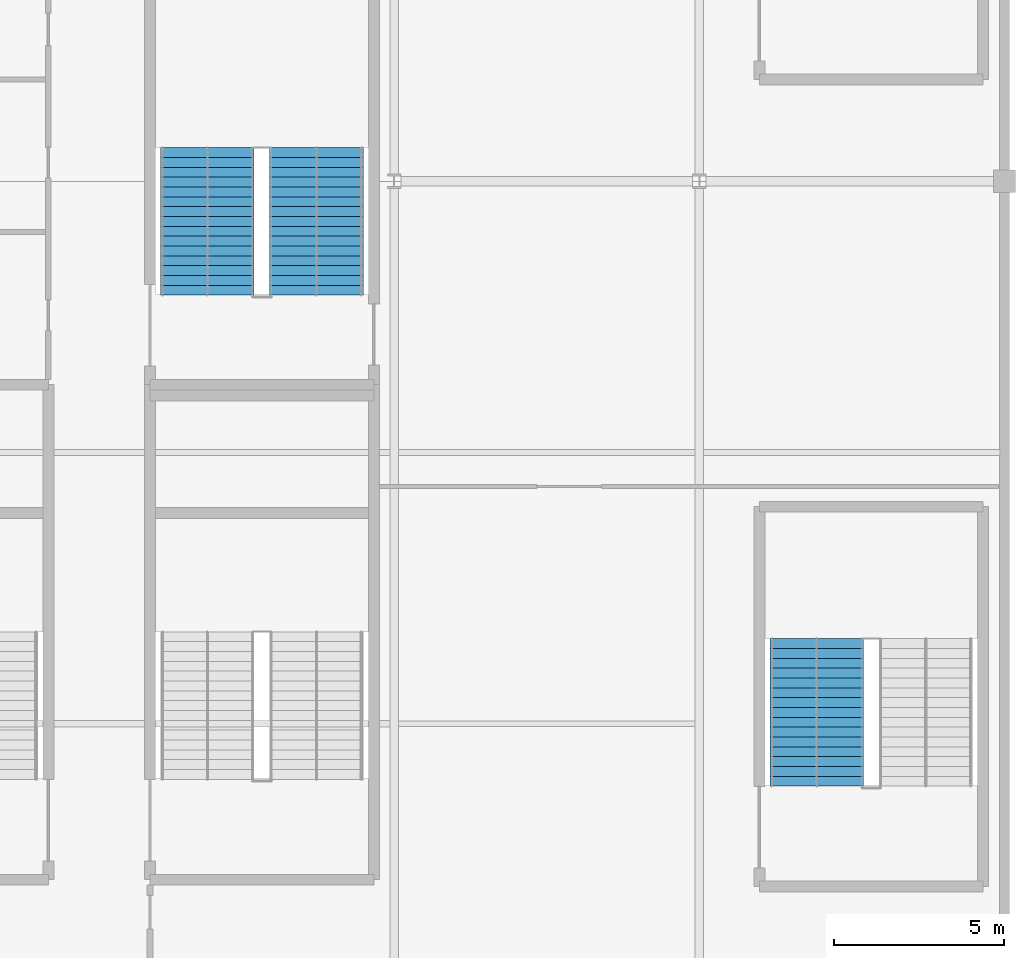
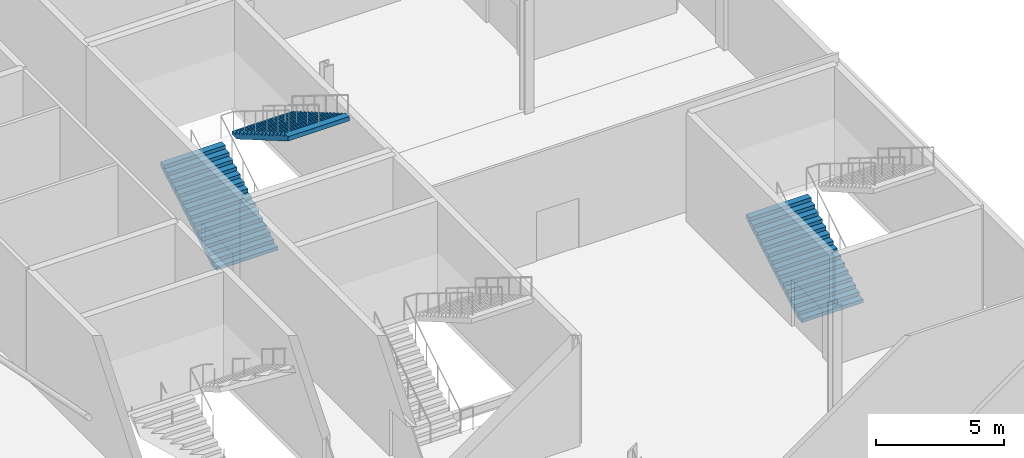
# One storey, part 83 of 111: 3 stair flights, 2 elements without a shape of their own.
"""IFC4 building model written with IfcOpenShell, lengths in metres."""

from ifc_helpers import new_model, si_unit, direction, frame, origin, place, context, subcontext, project, spatial, polygons, material, type_object, element, aggregate, save


model = new_model("IFC4")

# Units and contexts
model_context = context("Model", 3, precision=1e-05, world=origin(), true_north=direction((0.0, 1.0)))
body_context = subcontext(model_context, "Body", "Model", "MODEL_VIEW")
ifc_project = project(units=[si_unit("LENGTHUNIT", "METRE"), si_unit("AREAUNIT", "SQUARE_METRE"), si_unit("VOLUMEUNIT", "CUBIC_METRE"), si_unit("PLANEANGLEUNIT", "RADIAN"), si_unit("MASSUNIT", "GRAM", prefix="KILO")], contexts=[model_context])

# Site, building, storey
site_placement = place(None, origin())
site = spatial("IfcSite", under=ifc_project, at=site_placement, CompositionType="ELEMENT")
building_placement = place(site_placement, origin())
building = spatial("IfcBuilding", under=site, at=building_placement, Name="Kisiwana Market Hall", CompositionType="ELEMENT")
storey_placement = place(building_placement, frame((0.0, 0.0, 11.39990234375)))
storey = spatial("IfcBuildingStorey", under=building, at=storey_placement, Name="L02", CompositionType="ELEMENT", Elevation=11.39990234375)

# Stair, stair flight
ifc_material_1 = material(Name="Concrete C32/40", Category="concrete")
stair_type = type_object("IfcStairType", Name="ST-ESC-5400", PredefinedType="TWO_STRAIGHT_RUN_STAIR", material=ifc_material_1)
stair_1_placement = place(storey_placement, origin())
stair_1 = element("IfcStair", 1, at=stair_1_placement, inside=storey, type_object=stair_type, Name="Escape stair ST-W9-L02", PredefinedType="TWO_STRAIGHT_RUN_STAIR")
ifc_material_2 = material(Name="Concrete C32/40", Category="concrete")
stair_flight_type = type_object("IfcStairFlightType", Name="SF-ESC-5400", PredefinedType="STRAIGHT", material=ifc_material_2)
stair_flight_1_placement = place(storey_placement, frame((39.4599609375, 42.159912109375, 0.0), z_axis=(0.0, 0.0, 1.0), x_axis=(0.0, 1.0, 0.0)))
stair_flight_1 = element("IfcStairFlight", 2, at=stair_flight_1_placement, type_object=stair_flight_type, Name="ST-W9-L02 flight 1", NumberOfRisers=16, NumberOfTreads=15, PredefinedType="STRAIGHT", RiserHeight=0.16875, TreadLength=0.29, context=body_context, shape_type="Tessellation", body=[
    polygons([(0.0, -1.380127, 0.0), (0.0, -0.690125, 0.0), (0.0, -0.000122, 0.0), (0.0, 0.68988, 0.0), (0.0, 1.379883, 0.0), (0.0, -1.380127, 0.168701), (0.0, -0.690125, 0.168701), (0.0, -0.000122, 0.168701), (0.0, 0.68988, 0.168701), (0.0, 1.379883, 0.168701), (0.290039, -1.380127, 0.168701), (0.290039, -0.690125, 0.168701), (0.290039, -0.000122, 0.168701), (0.290039, 0.68988, 0.168701), (0.290039, 1.379883, 0.168701), (0.290039, -1.380127, 0.337402), (0.290039, -0.690125, 0.337402), (0.290039, -0.000122, 0.337402), (0.290039, 0.68988, 0.337402), (0.290039, 1.379883, 0.337402), (0.580078, -1.380127, 0.337402), (0.580078, -0.690125, 0.337402), (0.580078, -0.000122, 0.337402), (0.580078, 0.68988, 0.337402), (0.580078, 1.379883, 0.337402), (0.580078, -1.380127, 0.506348), (0.580078, -0.690125, 0.506348), (0.580078, -0.000122, 0.506348), (0.580078, 0.68988, 0.506348), (0.580078, 1.379883, 0.506348), (0.870117, -1.380127, 0.506348), (0.870117, -0.690125, 0.506348), (0.870117, -0.000122, 0.506348), (0.870117, 0.68988, 0.506348), (0.870117, 1.379883, 0.506348), (0.870117, -1.380127, 0.675049), (0.870117, -0.690125, 0.675049), (0.870117, -0.000122, 0.675049), (0.870117, 0.68988, 0.675049), (0.870117, 1.379883, 0.675049), (1.159912, -1.380127, 0.675049), (1.159912, -0.690125, 0.675049), (1.159912, -0.000122, 0.675049), (1.159912, 0.68988, 0.675049), (1.159912, 1.379883, 0.675049), (1.159912, -1.380127, 0.84375), (1.159912, -0.690125, 0.84375), (1.159912, -0.000122, 0.84375), (1.159912, 0.68988, 0.84375), (1.159912, 1.379883, 0.84375), (1.449951, -1.380127, 0.84375), (1.449951, -0.690125, 0.84375), (1.449951, -0.000122, 0.84375), (1.449951, 0.68988, 0.84375), (1.449951, 1.379883, 0.84375), (1.449951, -1.380127, 1.012451), (1.449951, -0.690125, 1.012451), (1.449951, -0.000122, 1.012451), (1.449951, 0.68988, 1.012451), (1.449951, 1.379883, 1.012451), (1.73999, -1.380127, 1.012451), (1.73999, -0.690125, 1.012451), (1.73999, -0.000122, 1.012451), (1.73999, 0.68988, 1.012451), (1.73999, 1.379883, 1.012451), (1.73999, -1.380127, 1.181152), (1.73999, -0.690125, 1.181152), (1.73999, -0.000122, 1.181152), (1.73999, 0.68988, 1.181152), (1.73999, 1.379883, 1.181152), (2.030029, -1.380127, 1.181152), (2.030029, -0.690125, 1.181152), (2.030029, -0.000122, 1.181152), (2.030029, 0.68988, 1.181152), (2.030029, 1.379883, 1.181152), (2.030029, -1.380127, 1.350098), (2.030029, -0.690125, 1.350098), (2.030029, -0.000122, 1.350098), (2.030029, 0.68988, 1.350098), (2.030029, 1.379883, 1.350098), (2.320068, -1.380127, 1.350098), (2.320068, -0.690125, 1.350098), (2.320068, -0.000122, 1.350098), (2.320068, 0.68988, 1.350098), (2.320068, 1.379883, 1.350098), (2.320068, -1.380127, 1.518799), (2.320068, -0.690125, 1.518799), (2.320068, -0.000122, 1.518799), (2.320068, 0.68988, 1.518799), (2.320068, 1.379883, 1.518799), (2.610107, -1.380127, 1.518799), (2.610107, -0.690125, 1.518799), (2.610107, -0.000122, 1.518799), (2.610107, 0.68988, 1.518799), (2.610107, 1.379883, 1.518799), (2.610107, -1.380127, 1.6875), (2.610107, -0.690125, 1.6875), (2.610107, -0.000122, 1.6875), (2.610107, 0.68988, 1.6875), (2.610107, 1.379883, 1.6875), (2.899902, -1.380127, 1.6875), (2.899902, -0.690125, 1.6875), (2.899902, -0.000122, 1.6875), (2.899902, 0.68988, 1.6875), (2.899902, 1.379883, 1.6875), (2.899902, -1.380127, 1.856201), (2.899902, -0.690125, 1.856201), (2.899902, -0.000122, 1.856201), (2.899902, 0.68988, 1.856201), (2.899902, 1.379883, 1.856201), (3.189941, -1.380127, 1.856201), (3.189941, -0.690125, 1.856201), (3.189941, -0.000122, 1.856201), (3.189941, 0.68988, 1.856201), (3.189941, 1.379883, 1.856201), (3.189941, -1.380127, 2.024902), (3.189941, -0.690125, 2.024902), (3.189941, -0.000122, 2.024902), (3.189941, 0.68988, 2.024902), (3.189941, 1.379883, 2.024902), (3.47998, -1.380127, 2.024902), (3.47998, -0.690125, 2.024902), (3.47998, -0.000122, 2.024902), (3.47998, 0.68988, 2.024902), (3.47998, 1.379883, 2.024902), (3.47998, -1.380127, 2.193848), (3.47998, -0.690125, 2.193848), (3.47998, -0.000122, 2.193848), (3.47998, 0.68988, 2.193848), (3.47998, 1.379883, 2.193848), (3.77002, -1.380127, 2.193848), (3.77002, -0.690125, 2.193848), (3.77002, -0.000122, 2.193848), (3.77002, 0.68988, 2.193848), (3.77002, 1.379883, 2.193848), (3.77002, -1.380127, 2.362549), (3.77002, -0.690125, 2.362549), (3.77002, -0.000122, 2.362549), (3.77002, 0.68988, 2.362549), (3.77002, 1.379883, 2.362549), (4.060059, -1.380127, 2.362549), (4.060059, -0.690125, 2.362549), (4.060059, -0.000122, 2.362549), (4.060059, 0.68988, 2.362549), (4.060059, 1.379883, 2.362549), (4.060059, -1.380127, 2.53125), (4.060059, -0.690125, 2.53125), (4.060059, -0.000122, 2.53125), (4.060059, 0.68988, 2.53125), (4.060059, 1.379883, 2.53125), (4.350098, -1.380127, 2.53125), (4.350098, -0.690125, 2.53125), (4.350098, -0.000122, 2.53125), (4.350098, 0.68988, 2.53125), (4.350098, 1.379883, 2.53125), (4.350098, -1.380127, 2.322998), (4.350098, -0.690125, 2.322998), (4.350098, -0.000122, 2.322998), (4.350098, 0.68988, 2.322998), (4.350098, 1.379883, 2.322998), (0.357666, -1.380127, 0.0), (0.357666, -0.690125, 0.0), (0.357666, -0.000122, 0.0), (0.357666, 0.68988, 0.0), (0.357666, 1.379883, 0.0)], [[[1, 6, 7, 2]], [[2, 7, 8, 3]], [[3, 8, 9, 4]], [[4, 9, 10, 5]], [[6, 11, 12, 7]], [[7, 12, 13, 8]], [[8, 13, 14, 9]], [[9, 14, 15, 10]], [[11, 16, 17, 12]], [[12, 17, 18, 13]], [[13, 18, 19, 14]], [[14, 19, 20, 15]], [[16, 21, 22, 17]], [[17, 22, 23, 18]], [[18, 23, 24, 19]], [[19, 24, 25, 20]], [[21, 26, 27, 22]], [[22, 27, 28, 23]], [[23, 28, 29, 24]], [[24, 29, 30, 25]], [[26, 31, 32, 27]], [[27, 32, 33, 28]], [[28, 33, 34, 29]], [[29, 34, 35, 30]], [[31, 36, 37, 32]], [[32, 37, 38, 33]], [[33, 38, 39, 34]], [[34, 39, 40, 35]], [[36, 41, 42, 37]], [[37, 42, 43, 38]], [[38, 43, 44, 39]], [[39, 44, 45, 40]], [[41, 46, 47, 42]], [[42, 47, 48, 43]], [[43, 48, 49, 44]], [[44, 49, 50, 45]], [[46, 51, 52, 47]], [[47, 52, 53, 48]], [[48, 53, 54, 49]], [[49, 54, 55, 50]], [[51, 56, 57, 52]], [[52, 57, 58, 53]], [[53, 58, 59, 54]], [[54, 59, 60, 55]], [[56, 61, 62, 57]], [[57, 62, 63, 58]], [[58, 63, 64, 59]], [[59, 64, 65, 60]], [[61, 66, 67, 62]], [[62, 67, 68, 63]], [[63, 68, 69, 64]], [[64, 69, 70, 65]], [[66, 71, 72, 67]], [[67, 72, 73, 68]], [[68, 73, 74, 69]], [[69, 74, 75, 70]], [[71, 76, 77, 72]], [[72, 77, 78, 73]], [[73, 78, 79, 74]], [[74, 79, 80, 75]], [[76, 81, 82, 77]], [[77, 82, 83, 78]], [[78, 83, 84, 79]], [[79, 84, 85, 80]], [[81, 86, 87, 82]], [[82, 87, 88, 83]], [[83, 88, 89, 84]], [[84, 89, 90, 85]], [[86, 91, 92, 87]], [[87, 92, 93, 88]], [[88, 93, 94, 89]], [[89, 94, 95, 90]], [[91, 96, 97, 92]], [[92, 97, 98, 93]], [[93, 98, 99, 94]], [[94, 99, 100, 95]], [[96, 101, 102, 97]], [[97, 102, 103, 98]], [[98, 103, 104, 99]], [[99, 104, 105, 100]], [[101, 106, 107, 102]], [[102, 107, 108, 103]], [[103, 108, 109, 104]], [[104, 109, 110, 105]], [[106, 111, 112, 107]], [[107, 112, 113, 108]], [[108, 113, 114, 109]], [[109, 114, 115, 110]], [[111, 116, 117, 112]], [[112, 117, 118, 113]], [[113, 118, 119, 114]], [[114, 119, 120, 115]], [[116, 121, 122, 117]], [[117, 122, 123, 118]], [[118, 123, 124, 119]], [[119, 124, 125, 120]], [[121, 126, 127, 122]], [[122, 127, 128, 123]], [[123, 128, 129, 124]], [[124, 129, 130, 125]], [[126, 131, 132, 127]], [[127, 132, 133, 128]], [[128, 133, 134, 129]], [[129, 134, 135, 130]], [[131, 136, 137, 132]], [[132, 137, 138, 133]], [[133, 138, 139, 134]], [[134, 139, 140, 135]], [[136, 141, 142, 137]], [[137, 142, 143, 138]], [[138, 143, 144, 139]], [[139, 144, 145, 140]], [[141, 146, 147, 142]], [[142, 147, 148, 143]], [[143, 148, 149, 144]], [[144, 149, 150, 145]], [[146, 151, 152, 147]], [[147, 152, 153, 148]], [[148, 153, 154, 149]], [[149, 154, 155, 150]], [[151, 156, 157, 152]], [[152, 157, 158, 153]], [[153, 158, 159, 154]], [[154, 159, 160, 155]], [[156, 161, 162, 157]], [[157, 162, 163, 158]], [[158, 163, 164, 159]], [[159, 164, 165, 160]], [[161, 1, 2, 162]], [[162, 2, 3, 163]], [[163, 3, 4, 164]], [[164, 4, 5, 165]], [[161, 156, 151, 146, 141, 136, 131, 126, 121, 116, 111, 106, 101, 96, 91, 86, 81, 76, 71, 66, 61, 56, 51, 46, 41, 36, 31, 26, 21, 16, 11, 6, 1]], [[5, 10, 15, 20, 25, 30, 35, 40, 45, 50, 55, 60, 65, 70, 75, 80, 85, 90, 95, 100, 105, 110, 115, 120, 125, 130, 135, 140, 145, 150, 155, 160, 165]]], closed=True),
])
aggregate(stair_1, [stair_flight_1])

# Stair, stair flights
stair_2_placement = place(storey_placement, origin())
stair_2 = element("IfcStair", 3, at=stair_2_placement, inside=storey, type_object=stair_type, Name="Escape stair ST-W5-L02", PredefinedType="TWO_STRAIGHT_RUN_STAIR")
stair_flight_2_placement = place(storey_placement, frame((21.489990234375, 56.639892578125, 0.0), z_axis=(0.0, 0.0, 1.0), x_axis=(0.0, 1.0, 0.0)))
stair_flight_2 = element("IfcStairFlight", 4, at=stair_flight_2_placement, type_object=stair_flight_type, Name="ST-W5-L02 flight 1", NumberOfRisers=16, NumberOfTreads=15, PredefinedType="STRAIGHT", RiserHeight=0.16875, TreadLength=0.29, context=body_context, shape_type="Tessellation", body=[
    polygons([(0.0, -1.380127, 0.0), (0.0, -0.690125, 0.0), (0.0, -0.000122, 0.0), (0.0, 0.68988, 0.0), (0.0, 1.379883, 0.0), (0.0, -1.380127, 0.168701), (0.0, -0.690125, 0.168701), (0.0, -0.000122, 0.168701), (0.0, 0.68988, 0.168701), (0.0, 1.379883, 0.168701), (0.290039, -1.380127, 0.168701), (0.290039, -0.690125, 0.168701), (0.290039, -0.000122, 0.168701), (0.290039, 0.68988, 0.168701), (0.290039, 1.379883, 0.168701), (0.290039, -1.380127, 0.337402), (0.290039, -0.690125, 0.337402), (0.290039, -0.000122, 0.337402), (0.290039, 0.68988, 0.337402), (0.290039, 1.379883, 0.337402), (0.580078, -1.380127, 0.337402), (0.580078, -0.690125, 0.337402), (0.580078, -0.000122, 0.337402), (0.580078, 0.68988, 0.337402), (0.580078, 1.379883, 0.337402), (0.580078, -1.380127, 0.506348), (0.580078, -0.690125, 0.506348), (0.580078, -0.000122, 0.506348), (0.580078, 0.68988, 0.506348), (0.580078, 1.379883, 0.506348), (0.870117, -1.380127, 0.506348), (0.870117, -0.690125, 0.506348), (0.870117, -0.000122, 0.506348), (0.870117, 0.68988, 0.506348), (0.870117, 1.379883, 0.506348), (0.870117, -1.380127, 0.675049), (0.870117, -0.690125, 0.675049), (0.870117, -0.000122, 0.675049), (0.870117, 0.68988, 0.675049), (0.870117, 1.379883, 0.675049), (1.159912, -1.380127, 0.675049), (1.159912, -0.690125, 0.675049), (1.159912, -0.000122, 0.675049), (1.159912, 0.68988, 0.675049), (1.159912, 1.379883, 0.675049), (1.159912, -1.380127, 0.84375), (1.159912, -0.690125, 0.84375), (1.159912, -0.000122, 0.84375), (1.159912, 0.68988, 0.84375), (1.159912, 1.379883, 0.84375), (1.449951, -1.380127, 0.84375), (1.449951, -0.690125, 0.84375), (1.449951, -0.000122, 0.84375), (1.449951, 0.68988, 0.84375), (1.449951, 1.379883, 0.84375), (1.449951, -1.380127, 1.012451), (1.449951, -0.690125, 1.012451), (1.449951, -0.000122, 1.012451), (1.449951, 0.68988, 1.012451), (1.449951, 1.379883, 1.012451), (1.73999, -1.380127, 1.012451), (1.73999, -0.690125, 1.012451), (1.73999, -0.000122, 1.012451), (1.73999, 0.68988, 1.012451), (1.73999, 1.379883, 1.012451), (1.73999, -1.380127, 1.181152), (1.73999, -0.690125, 1.181152), (1.73999, -0.000122, 1.181152), (1.73999, 0.68988, 1.181152), (1.73999, 1.379883, 1.181152), (2.030029, -1.380127, 1.181152), (2.030029, -0.690125, 1.181152), (2.030029, -0.000122, 1.181152), (2.030029, 0.68988, 1.181152), (2.030029, 1.379883, 1.181152), (2.030029, -1.380127, 1.350098), (2.030029, -0.690125, 1.350098), (2.030029, -0.000122, 1.350098), (2.030029, 0.68988, 1.350098), (2.030029, 1.379883, 1.350098), (2.320068, -1.380127, 1.350098), (2.320068, -0.690125, 1.350098), (2.320068, -0.000122, 1.350098), (2.320068, 0.68988, 1.350098), (2.320068, 1.379883, 1.350098), (2.320068, -1.380127, 1.518799), (2.320068, -0.690125, 1.518799), (2.320068, -0.000122, 1.518799), (2.320068, 0.68988, 1.518799), (2.320068, 1.379883, 1.518799), (2.610107, -1.380127, 1.518799), (2.610107, -0.690125, 1.518799), (2.610107, -0.000122, 1.518799), (2.610107, 0.68988, 1.518799), (2.610107, 1.379883, 1.518799), (2.610107, -1.380127, 1.6875), (2.610107, -0.690125, 1.6875), (2.610107, -0.000122, 1.6875), (2.610107, 0.68988, 1.6875), (2.610107, 1.379883, 1.6875), (2.899902, -1.380127, 1.6875), (2.899902, -0.690125, 1.6875), (2.899902, -0.000122, 1.6875), (2.899902, 0.68988, 1.6875), (2.899902, 1.379883, 1.6875), (2.899902, -1.380127, 1.856201), (2.899902, -0.690125, 1.856201), (2.899902, -0.000122, 1.856201), (2.899902, 0.68988, 1.856201), (2.899902, 1.379883, 1.856201), (3.189941, -1.380127, 1.856201), (3.189941, -0.690125, 1.856201), (3.189941, -0.000122, 1.856201), (3.189941, 0.68988, 1.856201), (3.189941, 1.379883, 1.856201), (3.189941, -1.380127, 2.024902), (3.189941, -0.690125, 2.024902), (3.189941, -0.000122, 2.024902), (3.189941, 0.68988, 2.024902), (3.189941, 1.379883, 2.024902), (3.47998, -1.380127, 2.024902), (3.47998, -0.690125, 2.024902), (3.47998, -0.000122, 2.024902), (3.47998, 0.68988, 2.024902), (3.47998, 1.379883, 2.024902), (3.47998, -1.380127, 2.193848), (3.47998, -0.690125, 2.193848), (3.47998, -0.000122, 2.193848), (3.47998, 0.68988, 2.193848), (3.47998, 1.379883, 2.193848), (3.77002, -1.380127, 2.193848), (3.77002, -0.690125, 2.193848), (3.77002, -0.000122, 2.193848), (3.77002, 0.68988, 2.193848), (3.77002, 1.379883, 2.193848), (3.77002, -1.380127, 2.362549), (3.77002, -0.690125, 2.362549), (3.77002, -0.000122, 2.362549), (3.77002, 0.68988, 2.362549), (3.77002, 1.379883, 2.362549), (4.060059, -1.380127, 2.362549), (4.060059, -0.690125, 2.362549), (4.060059, -0.000122, 2.362549), (4.060059, 0.68988, 2.362549), (4.060059, 1.379883, 2.362549), (4.060059, -1.380127, 2.53125), (4.060059, -0.690125, 2.53125), (4.060059, -0.000122, 2.53125), (4.060059, 0.68988, 2.53125), (4.060059, 1.379883, 2.53125), (4.350098, -1.380127, 2.53125), (4.350098, -0.690125, 2.53125), (4.350098, -0.000122, 2.53125), (4.350098, 0.68988, 2.53125), (4.350098, 1.379883, 2.53125), (4.350098, -1.380127, 2.322998), (4.350098, -0.690125, 2.322998), (4.350098, -0.000122, 2.322998), (4.350098, 0.68988, 2.322998), (4.350098, 1.379883, 2.322998), (0.357666, -1.380127, 0.0), (0.357666, -0.690125, 0.0), (0.357666, -0.000122, 0.0), (0.357666, 0.68988, 0.0), (0.357666, 1.379883, 0.0)], [[[1, 6, 7, 2]], [[2, 7, 8, 3]], [[3, 8, 9, 4]], [[4, 9, 10, 5]], [[6, 11, 12, 7]], [[7, 12, 13, 8]], [[8, 13, 14, 9]], [[9, 14, 15, 10]], [[11, 16, 17, 12]], [[12, 17, 18, 13]], [[13, 18, 19, 14]], [[14, 19, 20, 15]], [[16, 21, 22, 17]], [[17, 22, 23, 18]], [[18, 23, 24, 19]], [[19, 24, 25, 20]], [[21, 26, 27, 22]], [[22, 27, 28, 23]], [[23, 28, 29, 24]], [[24, 29, 30, 25]], [[26, 31, 32, 27]], [[27, 32, 33, 28]], [[28, 33, 34, 29]], [[29, 34, 35, 30]], [[31, 36, 37, 32]], [[32, 37, 38, 33]], [[33, 38, 39, 34]], [[34, 39, 40, 35]], [[36, 41, 42, 37]], [[37, 42, 43, 38]], [[38, 43, 44, 39]], [[39, 44, 45, 40]], [[41, 46, 47, 42]], [[42, 47, 48, 43]], [[43, 48, 49, 44]], [[44, 49, 50, 45]], [[46, 51, 52, 47]], [[47, 52, 53, 48]], [[48, 53, 54, 49]], [[49, 54, 55, 50]], [[51, 56, 57, 52]], [[52, 57, 58, 53]], [[53, 58, 59, 54]], [[54, 59, 60, 55]], [[56, 61, 62, 57]], [[57, 62, 63, 58]], [[58, 63, 64, 59]], [[59, 64, 65, 60]], [[61, 66, 67, 62]], [[62, 67, 68, 63]], [[63, 68, 69, 64]], [[64, 69, 70, 65]], [[66, 71, 72, 67]], [[67, 72, 73, 68]], [[68, 73, 74, 69]], [[69, 74, 75, 70]], [[71, 76, 77, 72]], [[72, 77, 78, 73]], [[73, 78, 79, 74]], [[74, 79, 80, 75]], [[76, 81, 82, 77]], [[77, 82, 83, 78]], [[78, 83, 84, 79]], [[79, 84, 85, 80]], [[81, 86, 87, 82]], [[82, 87, 88, 83]], [[83, 88, 89, 84]], [[84, 89, 90, 85]], [[86, 91, 92, 87]], [[87, 92, 93, 88]], [[88, 93, 94, 89]], [[89, 94, 95, 90]], [[91, 96, 97, 92]], [[92, 97, 98, 93]], [[93, 98, 99, 94]], [[94, 99, 100, 95]], [[96, 101, 102, 97]], [[97, 102, 103, 98]], [[98, 103, 104, 99]], [[99, 104, 105, 100]], [[101, 106, 107, 102]], [[102, 107, 108, 103]], [[103, 108, 109, 104]], [[104, 109, 110, 105]], [[106, 111, 112, 107]], [[107, 112, 113, 108]], [[108, 113, 114, 109]], [[109, 114, 115, 110]], [[111, 116, 117, 112]], [[112, 117, 118, 113]], [[113, 118, 119, 114]], [[114, 119, 120, 115]], [[116, 121, 122, 117]], [[117, 122, 123, 118]], [[118, 123, 124, 119]], [[119, 124, 125, 120]], [[121, 126, 127, 122]], [[122, 127, 128, 123]], [[123, 128, 129, 124]], [[124, 129, 130, 125]], [[126, 131, 132, 127]], [[127, 132, 133, 128]], [[128, 133, 134, 129]], [[129, 134, 135, 130]], [[131, 136, 137, 132]], [[132, 137, 138, 133]], [[133, 138, 139, 134]], [[134, 139, 140, 135]], [[136, 141, 142, 137]], [[137, 142, 143, 138]], [[138, 143, 144, 139]], [[139, 144, 145, 140]], [[141, 146, 147, 142]], [[142, 147, 148, 143]], [[143, 148, 149, 144]], [[144, 149, 150, 145]], [[146, 151, 152, 147]], [[147, 152, 153, 148]], [[148, 153, 154, 149]], [[149, 154, 155, 150]], [[151, 156, 157, 152]], [[152, 157, 158, 153]], [[153, 158, 159, 154]], [[154, 159, 160, 155]], [[156, 161, 162, 157]], [[157, 162, 163, 158]], [[158, 163, 164, 159]], [[159, 164, 165, 160]], [[161, 1, 2, 162]], [[162, 2, 3, 163]], [[163, 3, 4, 164]], [[164, 4, 5, 165]], [[161, 156, 151, 146, 141, 136, 131, 126, 121, 116, 111, 106, 101, 96, 91, 86, 81, 76, 71, 66, 61, 56, 51, 46, 41, 36, 31, 26, 21, 16, 11, 6, 1]], [[5, 10, 15, 20, 25, 30, 35, 40, 45, 50, 55, 60, 65, 70, 75, 80, 85, 90, 95, 100, 105, 110, 115, 120, 125, 130, 135, 140, 145, 150, 155, 160, 165]]], closed=True),
])
stair_flight_3_placement = place(storey_placement, frame((24.7099609375, 60.989990234375, 2.7001953125), z_axis=(0.0, 0.0, 1.0), x_axis=(0.0, -1.0, 0.0)))
stair_flight_3 = element("IfcStairFlight", 5, at=stair_flight_3_placement, type_object=stair_flight_type, Name="ST-W5-L02 flight 2", NumberOfRisers=16, NumberOfTreads=15, PredefinedType="STRAIGHT", RiserHeight=0.16875, TreadLength=0.29, context=body_context, shape_type="Tessellation", body=[
    polygons([(0.0, -1.380127, 0.0), (0.0, -0.690125, 0.0), (0.0, -0.000122, 0.0), (0.0, 0.68988, 0.0), (0.0, 1.379883, 0.0), (0.0, -1.380127, 0.168701), (0.0, -0.690125, 0.168701), (0.0, -0.000122, 0.168701), (0.0, 0.68988, 0.168701), (0.0, 1.379883, 0.168701), (0.290039, -1.380127, 0.168701), (0.290039, -0.690125, 0.168701), (0.290039, -0.000122, 0.168701), (0.290039, 0.68988, 0.168701), (0.290039, 1.379883, 0.168701), (0.290039, -1.380127, 0.337402), (0.290039, -0.690125, 0.337402), (0.290039, -0.000122, 0.337402), (0.290039, 0.68988, 0.337402), (0.290039, 1.379883, 0.337402), (0.580078, -1.380127, 0.337402), (0.580078, -0.690125, 0.337402), (0.580078, -0.000122, 0.337402), (0.580078, 0.68988, 0.337402), (0.580078, 1.379883, 0.337402), (0.580078, -1.380127, 0.506348), (0.580078, -0.690125, 0.506348), (0.580078, -0.000122, 0.506348), (0.580078, 0.68988, 0.506348), (0.580078, 1.379883, 0.506348), (0.870117, -1.380127, 0.506348), (0.870117, -0.690125, 0.506348), (0.870117, -0.000122, 0.506348), (0.870117, 0.68988, 0.506348), (0.870117, 1.379883, 0.506348), (0.870117, -1.380127, 0.675049), (0.870117, -0.690125, 0.675049), (0.870117, -0.000122, 0.675049), (0.870117, 0.68988, 0.675049), (0.870117, 1.379883, 0.675049), (1.159912, -1.380127, 0.675049), (1.159912, -0.690125, 0.675049), (1.159912, -0.000122, 0.675049), (1.159912, 0.68988, 0.675049), (1.159912, 1.379883, 0.675049), (1.159912, -1.380127, 0.84375), (1.159912, -0.690125, 0.84375), (1.159912, -0.000122, 0.84375), (1.159912, 0.68988, 0.84375), (1.159912, 1.379883, 0.84375), (1.449951, -1.380127, 0.84375), (1.449951, -0.690125, 0.84375), (1.449951, -0.000122, 0.84375), (1.449951, 0.68988, 0.84375), (1.449951, 1.379883, 0.84375), (1.449951, -1.380127, 1.012451), (1.449951, -0.690125, 1.012451), (1.449951, -0.000122, 1.012451), (1.449951, 0.68988, 1.012451), (1.449951, 1.379883, 1.012451), (1.73999, -1.380127, 1.012451), (1.73999, -0.690125, 1.012451), (1.73999, -0.000122, 1.012451), (1.73999, 0.68988, 1.012451), (1.73999, 1.379883, 1.012451), (1.73999, -1.380127, 1.181152), (1.73999, -0.690125, 1.181152), (1.73999, -0.000122, 1.181152), (1.73999, 0.68988, 1.181152), (1.73999, 1.379883, 1.181152), (2.030029, -1.380127, 1.181152), (2.030029, -0.690125, 1.181152), (2.030029, -0.000122, 1.181152), (2.030029, 0.68988, 1.181152), (2.030029, 1.379883, 1.181152), (2.030029, -1.380127, 1.350098), (2.030029, -0.690125, 1.350098), (2.030029, -0.000122, 1.350098), (2.030029, 0.68988, 1.350098), (2.030029, 1.379883, 1.350098), (2.320068, -1.380127, 1.350098), (2.320068, -0.690125, 1.350098), (2.320068, -0.000122, 1.350098), (2.320068, 0.68988, 1.350098), (2.320068, 1.379883, 1.350098), (2.320068, -1.380127, 1.518799), (2.320068, -0.690125, 1.518799), (2.320068, -0.000122, 1.518799), (2.320068, 0.68988, 1.518799), (2.320068, 1.379883, 1.518799), (2.610107, -1.380127, 1.518799), (2.610107, -0.690125, 1.518799), (2.610107, -0.000122, 1.518799), (2.610107, 0.68988, 1.518799), (2.610107, 1.379883, 1.518799), (2.610107, -1.380127, 1.6875), (2.610107, -0.690125, 1.6875), (2.610107, -0.000122, 1.6875), (2.610107, 0.68988, 1.6875), (2.610107, 1.379883, 1.6875), (2.899902, -1.380127, 1.6875), (2.899902, -0.690125, 1.6875), (2.899902, -0.000122, 1.6875), (2.899902, 0.68988, 1.6875), (2.899902, 1.379883, 1.6875), (2.899902, -1.380127, 1.856201), (2.899902, -0.690125, 1.856201), (2.899902, -0.000122, 1.856201), (2.899902, 0.68988, 1.856201), (2.899902, 1.379883, 1.856201), (3.189941, -1.380127, 1.856201), (3.189941, -0.690125, 1.856201), (3.189941, -0.000122, 1.856201), (3.189941, 0.68988, 1.856201), (3.189941, 1.379883, 1.856201), (3.189941, -1.380127, 2.024902), (3.189941, -0.690125, 2.024902), (3.189941, -0.000122, 2.024902), (3.189941, 0.68988, 2.024902), (3.189941, 1.379883, 2.024902), (3.47998, -1.380127, 2.024902), (3.47998, -0.690125, 2.024902), (3.47998, -0.000122, 2.024902), (3.47998, 0.68988, 2.024902), (3.47998, 1.379883, 2.024902), (3.47998, -1.380127, 2.193848), (3.47998, -0.690125, 2.193848), (3.47998, -0.000122, 2.193848), (3.47998, 0.68988, 2.193848), (3.47998, 1.379883, 2.193848), (3.77002, -1.380127, 2.193848), (3.77002, -0.690125, 2.193848), (3.77002, -0.000122, 2.193848), (3.77002, 0.68988, 2.193848), (3.77002, 1.379883, 2.193848), (3.77002, -1.380127, 2.362549), (3.77002, -0.690125, 2.362549), (3.77002, -0.000122, 2.362549), (3.77002, 0.68988, 2.362549), (3.77002, 1.379883, 2.362549), (4.060059, -1.380127, 2.362549), (4.060059, -0.690125, 2.362549), (4.060059, -0.000122, 2.362549), (4.060059, 0.68988, 2.362549), (4.060059, 1.379883, 2.362549), (4.060059, -1.380127, 2.53125), (4.060059, -0.690125, 2.53125), (4.060059, -0.000122, 2.53125), (4.060059, 0.68988, 2.53125), (4.060059, 1.379883, 2.53125), (4.350098, -1.380127, 2.53125), (4.350098, -0.690125, 2.53125), (4.350098, -0.000122, 2.53125), (4.350098, 0.68988, 2.53125), (4.350098, 1.379883, 2.53125), (4.350098, -1.380127, 2.322998), (4.350098, -0.690125, 2.322998), (4.350098, -0.000122, 2.322998), (4.350098, 0.68988, 2.322998), (4.350098, 1.379883, 2.322998), (0.357666, -1.380127, 0.0), (0.357666, -0.690125, 0.0), (0.357666, -0.000122, 0.0), (0.357666, 0.68988, 0.0), (0.357666, 1.379883, 0.0)], [[[1, 6, 7, 2]], [[2, 7, 8, 3]], [[3, 8, 9, 4]], [[4, 9, 10, 5]], [[6, 11, 12, 7]], [[7, 12, 13, 8]], [[8, 13, 14, 9]], [[9, 14, 15, 10]], [[11, 16, 17, 12]], [[12, 17, 18, 13]], [[13, 18, 19, 14]], [[14, 19, 20, 15]], [[16, 21, 22, 17]], [[17, 22, 23, 18]], [[18, 23, 24, 19]], [[19, 24, 25, 20]], [[21, 26, 27, 22]], [[22, 27, 28, 23]], [[23, 28, 29, 24]], [[24, 29, 30, 25]], [[26, 31, 32, 27]], [[27, 32, 33, 28]], [[28, 33, 34, 29]], [[29, 34, 35, 30]], [[31, 36, 37, 32]], [[32, 37, 38, 33]], [[33, 38, 39, 34]], [[34, 39, 40, 35]], [[36, 41, 42, 37]], [[37, 42, 43, 38]], [[38, 43, 44, 39]], [[39, 44, 45, 40]], [[41, 46, 47, 42]], [[42, 47, 48, 43]], [[43, 48, 49, 44]], [[44, 49, 50, 45]], [[46, 51, 52, 47]], [[47, 52, 53, 48]], [[48, 53, 54, 49]], [[49, 54, 55, 50]], [[51, 56, 57, 52]], [[52, 57, 58, 53]], [[53, 58, 59, 54]], [[54, 59, 60, 55]], [[56, 61, 62, 57]], [[57, 62, 63, 58]], [[58, 63, 64, 59]], [[59, 64, 65, 60]], [[61, 66, 67, 62]], [[62, 67, 68, 63]], [[63, 68, 69, 64]], [[64, 69, 70, 65]], [[66, 71, 72, 67]], [[67, 72, 73, 68]], [[68, 73, 74, 69]], [[69, 74, 75, 70]], [[71, 76, 77, 72]], [[72, 77, 78, 73]], [[73, 78, 79, 74]], [[74, 79, 80, 75]], [[76, 81, 82, 77]], [[77, 82, 83, 78]], [[78, 83, 84, 79]], [[79, 84, 85, 80]], [[81, 86, 87, 82]], [[82, 87, 88, 83]], [[83, 88, 89, 84]], [[84, 89, 90, 85]], [[86, 91, 92, 87]], [[87, 92, 93, 88]], [[88, 93, 94, 89]], [[89, 94, 95, 90]], [[91, 96, 97, 92]], [[92, 97, 98, 93]], [[93, 98, 99, 94]], [[94, 99, 100, 95]], [[96, 101, 102, 97]], [[97, 102, 103, 98]], [[98, 103, 104, 99]], [[99, 104, 105, 100]], [[101, 106, 107, 102]], [[102, 107, 108, 103]], [[103, 108, 109, 104]], [[104, 109, 110, 105]], [[106, 111, 112, 107]], [[107, 112, 113, 108]], [[108, 113, 114, 109]], [[109, 114, 115, 110]], [[111, 116, 117, 112]], [[112, 117, 118, 113]], [[113, 118, 119, 114]], [[114, 119, 120, 115]], [[116, 121, 122, 117]], [[117, 122, 123, 118]], [[118, 123, 124, 119]], [[119, 124, 125, 120]], [[121, 126, 127, 122]], [[122, 127, 128, 123]], [[123, 128, 129, 124]], [[124, 129, 130, 125]], [[126, 131, 132, 127]], [[127, 132, 133, 128]], [[128, 133, 134, 129]], [[129, 134, 135, 130]], [[131, 136, 137, 132]], [[132, 137, 138, 133]], [[133, 138, 139, 134]], [[134, 139, 140, 135]], [[136, 141, 142, 137]], [[137, 142, 143, 138]], [[138, 143, 144, 139]], [[139, 144, 145, 140]], [[141, 146, 147, 142]], [[142, 147, 148, 143]], [[143, 148, 149, 144]], [[144, 149, 150, 145]], [[146, 151, 152, 147]], [[147, 152, 153, 148]], [[148, 153, 154, 149]], [[149, 154, 155, 150]], [[151, 156, 157, 152]], [[152, 157, 158, 153]], [[153, 158, 159, 154]], [[154, 159, 160, 155]], [[156, 161, 162, 157]], [[157, 162, 163, 158]], [[158, 163, 164, 159]], [[159, 164, 165, 160]], [[161, 1, 2, 162]], [[162, 2, 3, 163]], [[163, 3, 4, 164]], [[164, 4, 5, 165]], [[161, 156, 151, 146, 141, 136, 131, 126, 121, 116, 111, 106, 101, 96, 91, 86, 81, 76, 71, 66, 61, 56, 51, 46, 41, 36, 31, 26, 21, 16, 11, 6, 1]], [[5, 10, 15, 20, 25, 30, 35, 40, 45, 50, 55, 60, 65, 70, 75, 80, 85, 90, 95, 100, 105, 110, 115, 120, 125, 130, 135, 140, 145, 150, 155, 160, 165]]], closed=True),
])
aggregate(stair_2, [stair_flight_2, stair_flight_3])

save(model, "model.ifc")
